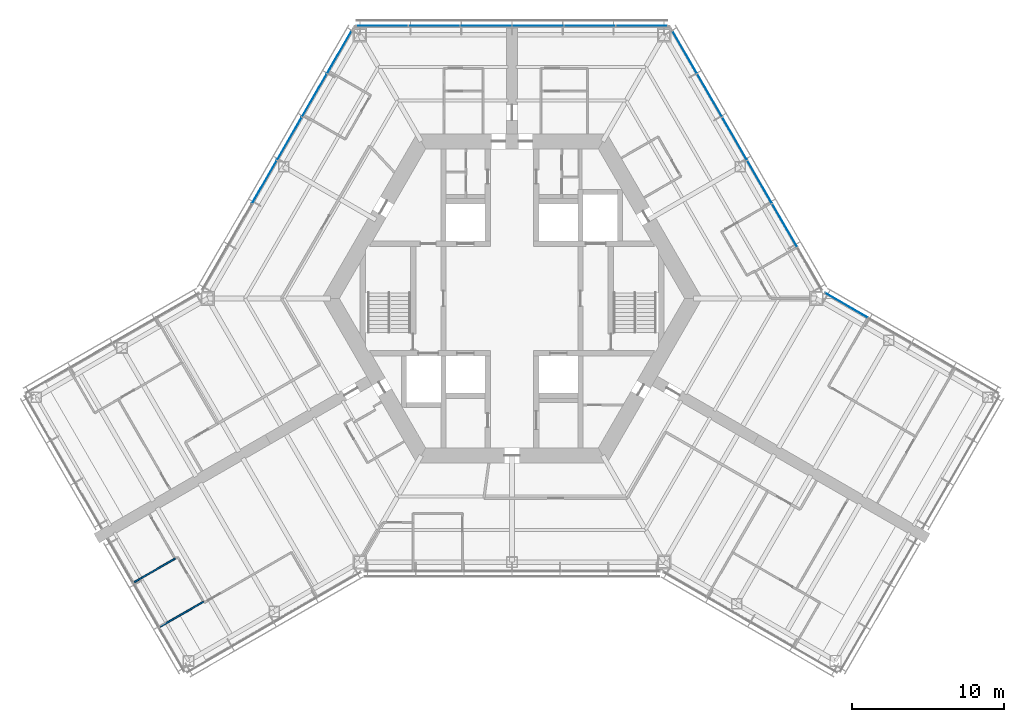
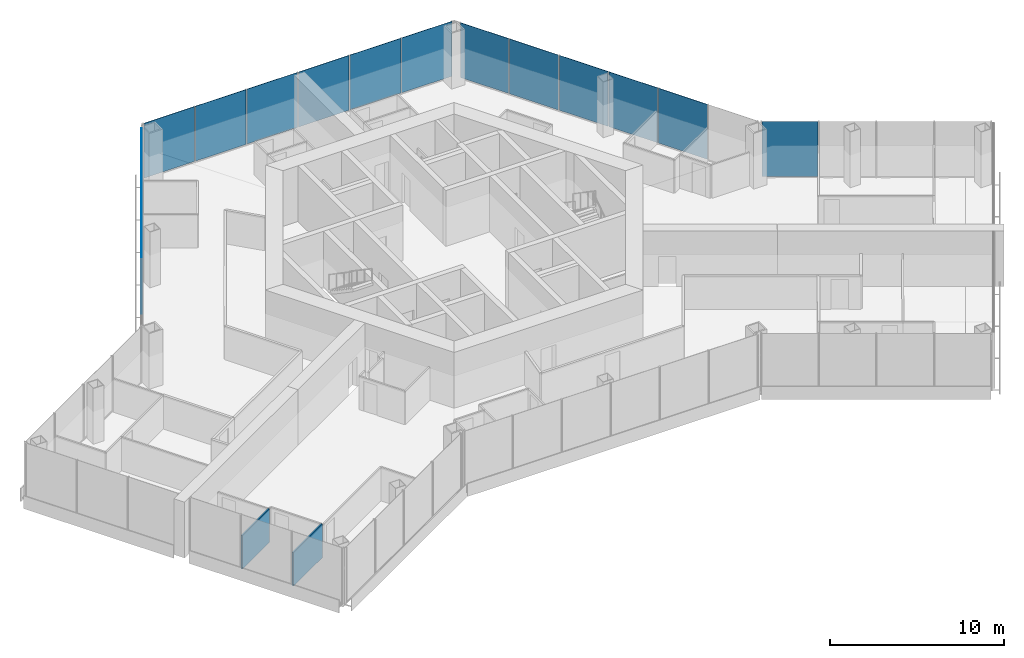
# One storey, part 11 of 18: 16 plates, 2 walls, 4 elements without a shape of their own.
"""IFC4 building model written with IfcOpenShell, lengths in metres."""

from ifc_helpers import new_model, si_unit, direction, frame, frame_2d, origin, origin_2d, place, context, subcontext, project, spatial, rectangle, extrude, material, layer, layer_set, type_object, element, aggregate, save


model = new_model("IFC4")

# Units and contexts
model_context = context("Model", 3, precision=1e-05, world=origin(), true_north=direction((0.0, 1.0)))
body_context = subcontext(model_context, "Body", "Model", "MODEL_VIEW")
ifc_project = project(units=[si_unit("LENGTHUNIT", "METRE"), si_unit("AREAUNIT", "SQUARE_METRE"), si_unit("VOLUMEUNIT", "CUBIC_METRE"), si_unit("PLANEANGLEUNIT", "RADIAN"), si_unit("MASSUNIT", "GRAM", prefix="KILO")], contexts=[model_context])

# Site, building, storey
site_placement = place(None, origin())
site = spatial("IfcSite", under=ifc_project, at=site_placement, CompositionType="ELEMENT")
building_placement = place(site_placement, origin())
building = spatial("IfcBuilding", under=site, at=building_placement, Name="Kasaneha Research Tower", CompositionType="ELEMENT")
storey_placement = place(building_placement, frame((0.0, 0.0, 199.39990234375)))
storey = spatial("IfcBuildingStorey", under=building, at=storey_placement, Name="L50", CompositionType="ELEMENT", Elevation=199.39990234375)

# Curtain wall, plate
ifc_material_1 = material(Name="Glass and aluminium", Category="aluminium")
curtain_wall_type = type_object("IfcCurtainWallType", Name="Mid-rise office curtain wall", PredefinedType="USERDEFINED", material=ifc_material_1)
curtain_wall_1_placement = place(storey_placement, origin())
curtain_wall_1 = element("IfcCurtainWall", 1, at=curtain_wall_1_placement, inside=storey, type_object=curtain_wall_type, Name="CW-O2 L50 run 05a", ObjectType="UNITISED CURTAIN WALL", PredefinedType="USERDEFINED")
ifc_material_2 = material(Name="Laminated double glazing", Category="glass")
ifc_layer_1 = layer(ifc_material_2, 0.02587890625)
ifc_layer_set_1 = layer_set([ifc_layer_1], Name="CW-O2 glazed panel")
plate_type = type_object("IfcPlateType", Name="CW-O2 glazed panel", PredefinedType="CURTAIN_PANEL", material=ifc_layer_set_1)
plate_1_placement = place(storey_placement, frame((21.971923828125, -0.44580078125, 0.06005859375), z_axis=(0.0, 0.0, 1.0), x_axis=(-0.866025411464, 0.499999986699, 0.0)))
plate_1 = element("IfcPlate", 2, at=plate_1_placement, type_object=plate_type, Name="CW-O2 panel 4", PredefinedType="CURTAIN_PANEL", context=body_context, shape_type="SweptSolid", body=[
    extrude(rectangle(XDim=3.2197265625, YDim=0.02587890625, at=origin_2d()), origin(), (0.0, 0.0, 1.0), 3.840087890625),
])
aggregate(curtain_wall_1, [plate_1])

# Curtain wall, plates
curtain_wall_2_placement = place(storey_placement, origin())
curtain_wall_2 = element("IfcCurtainWall", 3, at=curtain_wall_2_placement, inside=storey, type_object=curtain_wall_type, Name="CW-O2 L50 run 06a", ObjectType="UNITISED CURTAIN WALL", PredefinedType="USERDEFINED")
plate_2_placement = place(storey_placement, frame((17.923095703125, 4.797119140625, 0.06005859375), z_axis=(0.0, 0.0, 1.0), x_axis=(-0.499999979232, 0.866025415775, 0.0)))
plate_2 = element("IfcPlate", 4, at=plate_2_placement, type_object=plate_type, Name="CW-O2 panel 2", PredefinedType="CURTAIN_PANEL", context=body_context, shape_type="SweptSolid", body=[
    extrude(rectangle(XDim=3.22802734375, YDim=0.02587890625, at=origin_2d()), origin(), (0.0, 0.0, 1.0), 3.840087890625),
])
plate_3_placement = place(storey_placement, frame((16.279052734375, 7.644775390625, 0.06005859375), z_axis=(0.0, 0.0, 1.0), x_axis=(-0.499999979232, 0.866025415775, 0.0)))
plate_3 = element("IfcPlate", 5, at=plate_3_placement, type_object=plate_type, Name="CW-O2 panel 3", PredefinedType="CURTAIN_PANEL", context=body_context, shape_type="SweptSolid", body=[
    extrude(rectangle(XDim=3.22802734375, YDim=0.02587890625, at=origin_2d()), origin(), (0.0, 0.0, 1.0), 3.840087890625),
])
plate_4_placement = place(storey_placement, frame((14.635009765625, 10.492431640625, 0.06005859375), z_axis=(0.0, 0.0, 1.0), x_axis=(-0.499999979232, 0.866025415775, 0.0)))
plate_4 = element("IfcPlate", 6, at=plate_4_placement, type_object=plate_type, Name="CW-O2 panel 4", PredefinedType="CURTAIN_PANEL", context=body_context, shape_type="SweptSolid", body=[
    extrude(rectangle(XDim=3.22802734375, YDim=0.02587890625, at=origin_2d()), origin(), (0.0, 0.0, 1.0), 3.840087890625),
])
plate_5_placement = place(storey_placement, frame((12.990966796875, 13.33984375, 0.06005859375), z_axis=(0.0, 0.0, 1.0), x_axis=(-0.499999979232, 0.866025415775, 0.0)))
plate_5 = element("IfcPlate", 7, at=plate_5_placement, type_object=plate_type, Name="CW-O2 panel 5", PredefinedType="CURTAIN_PANEL", context=body_context, shape_type="SweptSolid", body=[
    extrude(rectangle(XDim=3.22802734375, YDim=0.02587890625, at=origin_2d()), origin(), (0.0, 0.0, 1.0), 3.840087890625),
])
plate_6_placement = place(storey_placement, frame((11.3544921875, 16.174560546875, 0.06005859375), z_axis=(0.0, 0.0, 1.0), x_axis=(-0.499999979232, 0.866025415775, 0.0)))
plate_6 = element("IfcPlate", 8, at=plate_6_placement, type_object=plate_type, Name="CW-O2 panel 6", PredefinedType="CURTAIN_PANEL", context=body_context, shape_type="SweptSolid", body=[
    extrude(rectangle(XDim=3.197998046875, YDim=0.02587890625, at=origin_2d()), origin(), (0.0, 0.0, 1.0), 3.840087890625),
])
aggregate(curtain_wall_2, [plate_2, plate_3, plate_4, plate_5, plate_6])

curtain_wall_3_placement = place(storey_placement, origin())
curtain_wall_3 = element("IfcCurtainWall", 9, at=curtain_wall_3_placement, inside=storey, type_object=curtain_wall_type, Name="CW-O2 L50 run 07a", ObjectType="UNITISED CURTAIN WALL", PredefinedType="USERDEFINED")
plate_7_placement = place(storey_placement, frame((8.523681640625, 17.92041015625, 0.06005859375), z_axis=(0.0, 0.0, 1.0), x_axis=(-1.0, 0.0, 0.0)))
plate_7 = element("IfcPlate", 10, at=plate_7_placement, type_object=plate_type, Name="CW-O2 panel 1", PredefinedType="CURTAIN_PANEL", context=body_context, shape_type="SweptSolid", body=[
    extrude(rectangle(XDim=3.325439453125, YDim=0.02587890625, at=origin_2d()), origin(), (0.0, 0.0, 1.0), 3.840087890625),
])
plate_8_placement = place(storey_placement, frame((5.123291015625, 17.92041015625, 0.06005859375), z_axis=(0.0, 0.0, 1.0), x_axis=(-1.0, 0.0, 0.0)))
plate_8 = element("IfcPlate", 11, at=plate_8_placement, type_object=plate_type, Name="CW-O2 panel 2", PredefinedType="CURTAIN_PANEL", context=body_context, shape_type="SweptSolid", body=[
    extrude(rectangle(XDim=3.35546875, YDim=0.02587890625, at=origin_2d()), origin(), (0.0, 0.0, 1.0), 3.840087890625),
])
plate_9_placement = place(storey_placement, frame((1.707763671875, 17.92041015625, 0.06005859375), z_axis=(0.0, 0.0, 1.0), x_axis=(-1.0, 0.0, 0.0)))
plate_9 = element("IfcPlate", 12, at=plate_9_placement, type_object=plate_type, Name="CW-O2 panel 3", PredefinedType="CURTAIN_PANEL", context=body_context, shape_type="SweptSolid", body=[
    extrude(rectangle(XDim=3.35546875, YDim=0.02587890625, at=origin_2d()), origin(), (0.0, 0.0, 1.0), 3.840087890625),
])
plate_10_placement = place(storey_placement, frame((-1.707763671875, 17.92041015625, 0.06005859375), z_axis=(0.0, 0.0, 1.0), x_axis=(-1.0, 0.0, 0.0)))
plate_10 = element("IfcPlate", 13, at=plate_10_placement, type_object=plate_type, Name="CW-O2 panel 4", PredefinedType="CURTAIN_PANEL", context=body_context, shape_type="SweptSolid", body=[
    extrude(rectangle(XDim=3.35546875, YDim=0.02587890625, at=origin_2d()), origin(), (0.0, 0.0, 1.0), 3.840087890625),
])
plate_11_placement = place(storey_placement, frame((-5.123291015625, 17.92041015625, 0.06005859375), z_axis=(0.0, 0.0, 1.0), x_axis=(-1.0, 0.0, 0.0)))
plate_11 = element("IfcPlate", 14, at=plate_11_placement, type_object=plate_type, Name="CW-O2 panel 5", PredefinedType="CURTAIN_PANEL", context=body_context, shape_type="SweptSolid", body=[
    extrude(rectangle(XDim=3.35546875, YDim=0.02587890625, at=origin_2d()), origin(), (0.0, 0.0, 1.0), 3.840087890625),
])
plate_12_placement = place(storey_placement, frame((-8.523681640625, 17.92041015625, 0.06005859375), z_axis=(0.0, 0.0, 1.0), x_axis=(-1.0, 0.0, 0.0)))
plate_12 = element("IfcPlate", 15, at=plate_12_placement, type_object=plate_type, Name="CW-O2 panel 6", PredefinedType="CURTAIN_PANEL", context=body_context, shape_type="SweptSolid", body=[
    extrude(rectangle(XDim=3.325439453125, YDim=0.02587890625, at=origin_2d()), origin(), (0.0, 0.0, 1.0), 3.840087890625),
])
aggregate(curtain_wall_3, [plate_7, plate_8, plate_9, plate_10, plate_11, plate_12])

curtain_wall_4_placement = place(storey_placement, origin())
curtain_wall_4 = element("IfcCurtainWall", 16, at=curtain_wall_4_placement, inside=storey, type_object=curtain_wall_type, Name="CW-O2 L50 run 08a", ObjectType="UNITISED CURTAIN WALL", PredefinedType="USERDEFINED")
plate_13_placement = place(storey_placement, frame((-11.3544921875, 16.174560546875, 0.06005859375), z_axis=(0.0, 0.0, 1.0), x_axis=(-0.499999979232, -0.866025415775, 0.0)))
plate_13 = element("IfcPlate", 17, at=plate_13_placement, type_object=plate_type, Name="CW-O2 panel 1", PredefinedType="CURTAIN_PANEL", context=body_context, shape_type="SweptSolid", body=[
    extrude(rectangle(XDim=3.197998046875, YDim=0.02587890625, at=origin_2d()), origin(), (0.0, 0.0, 1.0), 3.840087890625),
])
plate_14_placement = place(storey_placement, frame((-12.990966796875, 13.33984375, 0.06005859375), z_axis=(0.0, 0.0, 1.0), x_axis=(-0.499999979232, -0.866025415775, 0.0)))
plate_14 = element("IfcPlate", 18, at=plate_14_placement, type_object=plate_type, Name="CW-O2 panel 2", PredefinedType="CURTAIN_PANEL", context=body_context, shape_type="SweptSolid", body=[
    extrude(rectangle(XDim=3.22802734375, YDim=0.02587890625, at=origin_2d()), origin(), (0.0, 0.0, 1.0), 3.840087890625),
])
plate_15_placement = place(storey_placement, frame((-14.635009765625, 10.492431640625, 0.06005859375), z_axis=(0.0, 0.0, 1.0), x_axis=(-0.499999979232, -0.866025415775, 0.0)))
plate_15 = element("IfcPlate", 19, at=plate_15_placement, type_object=plate_type, Name="CW-O2 panel 3", PredefinedType="CURTAIN_PANEL", context=body_context, shape_type="SweptSolid", body=[
    extrude(rectangle(XDim=3.22802734375, YDim=0.02587890625, at=origin_2d()), origin(), (0.0, 0.0, 1.0), 3.840087890625),
])
plate_16_placement = place(storey_placement, frame((-16.279052734375, 7.644775390625, 0.06005859375), z_axis=(0.0, 0.0, 1.0), x_axis=(-0.499999979232, -0.866025415775, 0.0)))
plate_16 = element("IfcPlate", 20, at=plate_16_placement, type_object=plate_type, Name="CW-O2 panel 4", PredefinedType="CURTAIN_PANEL", context=body_context, shape_type="SweptSolid", body=[
    extrude(rectangle(XDim=3.22802734375, YDim=0.02587890625, at=origin_2d()), origin(), (0.0, 0.0, 1.0), 3.840087890625),
])
aggregate(curtain_wall_4, [plate_13, plate_14, plate_15, plate_16])

# Walls
ifc_material_3 = material(Name="Gypsum board on steel studs, one layer each side", Category="steel")
ifc_layer_2 = layer(ifc_material_3, 0.10009765625)
ifc_layer_set_2 = layer_set([ifc_layer_2], Name="Office partition 100")
wall_type = type_object("IfcWallType", Name="Office partition 100", PredefinedType="PARTITIONING", material=ifc_layer_set_2)
wall_1_placement = place(storey_placement, frame((-23.13720703125, -21.576416015625, 0.0), z_axis=(0.0, 0.0, 1.0), x_axis=(0.866702770653, 0.498824926544, 0.0)))
element("IfcWall", 21, at=wall_1_placement, inside=storey, type_object=wall_type, Name="Office partition FBS06 L50", PredefinedType="PARTITIONING", context=body_context, shape_type="SweptSolid", body=[
    extrude(rectangle(XDim=3.3056640625, YDim=0.10009765625, at=frame_2d((1.65283203125, 0.0))), origin(), (0.0, 0.0, 1.0), 2.35009765625),
])
wall_2_placement = place(storey_placement, frame((-24.8291015625, -18.64599609375, 0.0), z_axis=(0.0, 0.0, 1.0), x_axis=(0.866002566612, 0.500039553057, 0.0)))
element("IfcWall", 22, at=wall_2_placement, inside=storey, type_object=wall_type, Name="Office partition FBS09 L50", PredefinedType="PARTITIONING", context=body_context, shape_type="SweptSolid", body=[
    extrude(rectangle(XDim=3.110107421875, YDim=0.10009765625, at=frame_2d((1.55517578125, 0.0))), origin(), (0.0, 0.0, 1.0), 2.35009765625),
])

save(model, "model.ifc")
